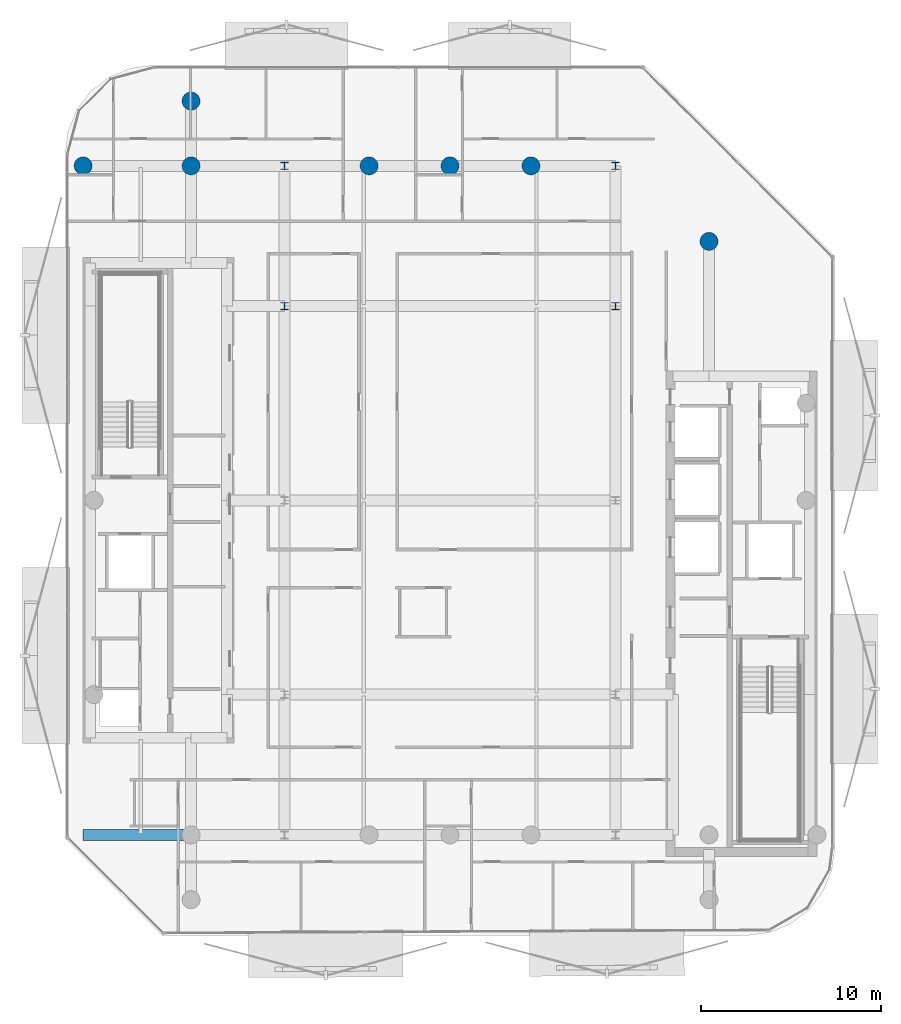
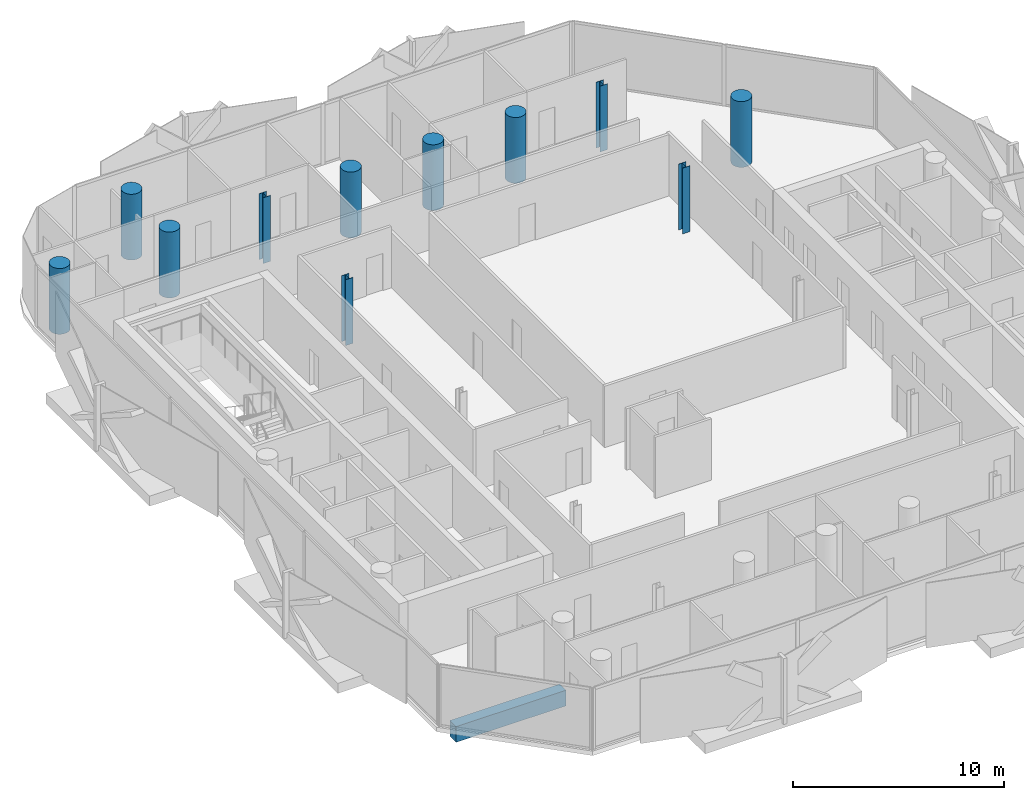
# One storey, part 2 of 16: 11 columns, 1 beam.
"""IFC4 building model written with IfcOpenShell, lengths in metres."""

from ifc_helpers import new_model, si_unit, direction, frame, origin, origin_2d, place, context, subcontext, project, spatial, rectangle, circle, i_section, extrude, material, material_profile, profile_set, type_object, element, save


model = new_model("IFC4")

# Units and contexts
model_context = context("Model", 3, precision=1e-05, world=origin(), true_north=direction((0.0, 1.0)))
body_context = subcontext(model_context, "Body", "Model", "MODEL_VIEW")
ifc_project = project(units=[si_unit("LENGTHUNIT", "METRE"), si_unit("AREAUNIT", "SQUARE_METRE"), si_unit("VOLUMEUNIT", "CUBIC_METRE"), si_unit("PLANEANGLEUNIT", "RADIAN"), si_unit("MASSUNIT", "GRAM", prefix="KILO")], contexts=[model_context])

# Site, building, storey
site_placement = place(None, origin())
site = spatial("IfcSite", under=ifc_project, at=site_placement, CompositionType="ELEMENT")
building_placement = place(site_placement, origin())
building = spatial("IfcBuilding", under=site, at=building_placement, Name="Khairoan Windgate Tower", CompositionType="ELEMENT")
storey_placement = place(building_placement, frame((0.0, 0.0, 281.39990234375)))
storey = spatial("IfcBuildingStorey", under=building, at=storey_placement, Name="L67", CompositionType="ELEMENT", Elevation=281.39990234375)

# Columns
ifc_material_1 = material(Name="Concrete C60/75", Category="concrete")
ifc_material_profile_1 = material_profile(ifc_material_1, circle(Radius=0.5, at=origin_2d()))
ifc_profile_set_1 = profile_set([ifc_material_profile_1], Name="Concrete C60/75")
column_type_1 = type_object("IfcColumnType", Name="Column C-P1 RC-D1000", PredefinedType="COLUMN", material=ifc_profile_set_1)
for number, where, z_axis, x_axis, name in (
    (1, (-20.39990234375, 18.60009765625, 0.0), (0.0, 0.0, 1.0), (1.0, 0.0, 0.0), "Column L67-11"),
    (2, (-14.39990234375, 18.60009765625, 0.0), (0.0, 0.0, 1.0), (1.0, 0.0, 0.0), "Column L67-14"),
    (3, (14.39990234375, 14.39990234375, 0.0), (0.0, 0.0, 1.0), (1.0, 0.0, 0.0), "Column L67-16"),
    (4, (-4.5, 18.60009765625, 0.0), (0.0, 0.0, 1.0), (1.0, 0.0, 0.0), "Column L67-20"),
    (5, (0.0, 18.60009765625, 0.0), (0.0, 0.0, 1.0), (1.0, 0.0, 0.0), "Column L67-21"),
    (6, (4.5, 18.60009765625, 0.0), (0.0, 0.0, 1.0), (1.0, 0.0, 0.0), "Column L67-22"),
    (7, (-14.39990234375, 22.199951171875, 0.0), (0.0, 0.0, 1.0), (1.0, 0.0, 0.0), "Column L67-28"),
):
    element("IfcColumn", number, at=place(storey_placement, frame(where, z_axis=z_axis, x_axis=x_axis)), inside=storey, type_object=column_type_1, Name=name, PredefinedType="COLUMN", context=body_context, shape_type="SweptSolid", body=[
        extrude(circle(Radius=0.5, at=origin_2d()), origin(), (0.0, 0.0, 1.0), 3.800048828125),
    ])
ifc_material_2 = material(Name="Steel S355", Category="steel")
ifc_material_profile_2 = material_profile(ifc_material_2, i_section(OverallWidth=0.39990234375, OverallDepth=0.39990234375, WebThickness=0.012939453125, FlangeThickness=0.02099609375, FilletRadius=0.02197265625, at=origin_2d()))
ifc_profile_set_2 = profile_set([ifc_material_profile_2], Name="Steel S355")
column_type_2 = type_object("IfcColumnType", Name="Steel Column SC4 H400x400x13x21", PredefinedType="COLUMN", material=ifc_profile_set_2)
for number, where, z_axis, x_axis, name in (
    (8, (-9.199951171875, 10.800048828125, 0.0), (0.0, 0.0, 1.0), (1.0, 0.0, 0.0), "Column L67-04"),
    (9, (-9.199951171875, 18.60009765625, 0.0), (0.0, 0.0, 1.0), (1.0, 0.0, 0.0), "Column L67-05"),
    (10, (9.199951171875, 10.800048828125, 0.0), (0.0, 0.0, 1.0), (1.0, 0.0, 0.0), "Column L67-09"),
    (11, (9.199951171875, 18.60009765625, 0.0), (0.0, 0.0, 1.0), (1.0, 0.0, 0.0), "Column L67-10"),
):
    element("IfcColumn", number, at=place(storey_placement, frame(where, z_axis=z_axis, x_axis=x_axis)), inside=storey, type_object=column_type_2, Name=name, PredefinedType="COLUMN", context=body_context, shape_type="SweptSolid", body=[
        extrude(i_section(OverallWidth=0.39990234375, OverallDepth=0.39990234375, WebThickness=0.012939453125, FlangeThickness=0.02099609375, FilletRadius=0.02197265625, at=origin_2d()), origin(), (0.0, 0.0, 1.0), 3.800048828125),
    ])

# Beam
ifc_material_3 = material(Name="Concrete C50/60", Category="concrete")
ifc_material_profile_3 = material_profile(ifc_material_3, rectangle(XDim=0.60009765625, YDim=0.89990234375, at=origin_2d()))
ifc_profile_set_3 = profile_set([ifc_material_profile_3], Name="Concrete C50/60")
beam_type = type_object("IfcBeamType", Name="Beam B-RC1 RC600x900", PredefinedType="BEAM", material=ifc_profile_set_3)
beam_placement = place(storey_placement, frame((-20.39990234375, -18.60009765625, -0.7099609375), z_axis=(1.0, 0.0, 0.0), x_axis=(0.0, 1.0, 0.0)))
element("IfcBeam", 12, at=beam_placement, inside=storey, type_object=beam_type, Name="L67 E-W Primary Girder 01", PredefinedType="BEAM", context=body_context, shape_type="SweptSolid", body=[
    extrude(rectangle(XDim=0.60009765625, YDim=0.89990234375, at=origin_2d()), origin(), (0.0, 0.0, 1.0), 6.0),
])

save(model, "model.ifc")
